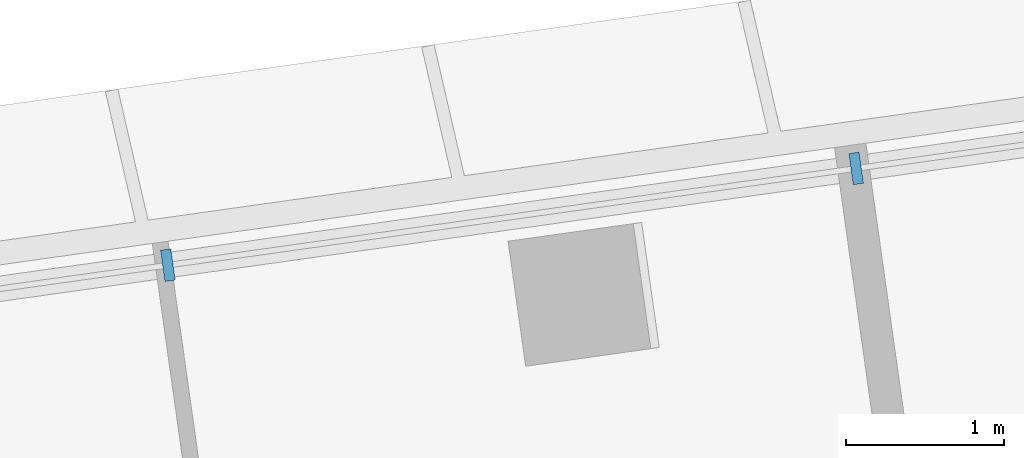
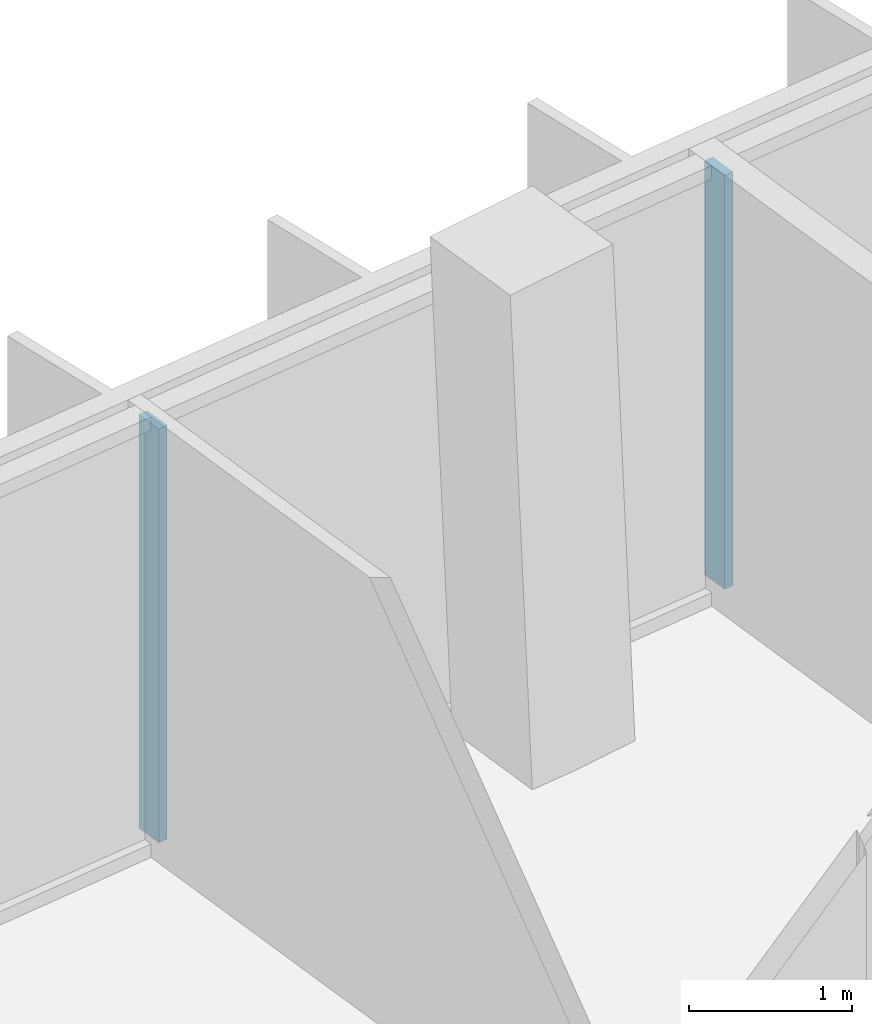
# One storey, part 12 of 29: 2 members, 1 element without a shape of its own.
"""IFC4 building model written with IfcOpenShell, lengths in metres."""

from ifc_helpers import new_model, si_unit, direction, frame, origin, origin_2d, place, context, subcontext, project, spatial, rectangle, extrude, material, material_profile, profile_set, type_object, element, aggregate, save


model = new_model("IFC4")

# Units and contexts
model_context = context("Model", 3, precision=1e-05, world=origin(), true_north=direction((0.0, 1.0)))
body_context = subcontext(model_context, "Body", "Model", "MODEL_VIEW")
ifc_project = project(units=[si_unit("LENGTHUNIT", "METRE"), si_unit("AREAUNIT", "SQUARE_METRE"), si_unit("VOLUMEUNIT", "CUBIC_METRE"), si_unit("PLANEANGLEUNIT", "RADIAN"), si_unit("MASSUNIT", "GRAM", prefix="KILO")], contexts=[model_context])

# Site, building, storey
site_placement = place(None, origin())
site = spatial("IfcSite", under=ifc_project, at=site_placement, CompositionType="ELEMENT")
building_placement = place(site_placement, origin())
building = spatial("IfcBuilding", under=site, at=building_placement, Name="Mirante Cascada Hotel Towers", CompositionType="ELEMENT")
storey_placement = place(building_placement, frame((0.0, 0.0, 206.8)))
storey = spatial("IfcBuildingStorey", under=building, at=storey_placement, Name="L49", CompositionType="ELEMENT", Elevation=206.8)

# Curtain wall, members
ifc_material_1 = material(Name="Aluminium mullion and transom frame with clear laminated glass", Category="aluminium")
curtain_wall_type = type_object("IfcCurtainWallType", Name="Ribbon curtain wall ECW1", PredefinedType="NOTDEFINED", material=ifc_material_1)
curtain_wall_placement = place(storey_placement, origin())
curtain_wall = element("IfcCurtainWall", 1, at=curtain_wall_placement, inside=storey, type_object=curtain_wall_type, Name="Front ribbon wall T2 L49", PredefinedType="NOTDEFINED")
ifc_material_2 = material(Name="Anodised aluminium extrusion", Category="aluminium")
ifc_material_profile = material_profile(ifc_material_2, rectangle(XDim=0.2, YDim=0.065, at=origin_2d()), Name="ECW1 MULLION 65x200")
ifc_profile_set = profile_set([ifc_material_profile], Name="Anodised aluminium extrusion")
member_type = type_object("IfcMemberType", Name="ECW1 mullion 65x200", PredefinedType="MULLION", material=ifc_profile_set)
member_1_placement = place(storey_placement, frame((45.7938, 19.2549, 0.1), z_axis=(0.0, 0.0, 1.0), x_axis=(0.1391731, -0.9902681, 0.0)))
member_1 = element("IfcMember", 2, at=member_1_placement, type_object=member_type, Name="ECW1 mullion 8", PredefinedType="MULLION", context=body_context, shape_type="SweptSolid", body=[
    extrude(rectangle(XDim=0.2, YDim=0.065, at=origin_2d()), origin(), (0.0, 0.0, 1.0), 3.1),
])
member_2_placement = place(storey_placement, frame((41.431, 18.6418, 0.1), z_axis=(0.0, 0.0, 1.0), x_axis=(0.1391731, -0.9902681, 0.0)))
member_2 = element("IfcMember", 3, at=member_2_placement, type_object=member_type, Name="ECW1 mullion 9", PredefinedType="MULLION", context=body_context, shape_type="SweptSolid", body=[
    extrude(rectangle(XDim=0.2, YDim=0.065, at=origin_2d()), origin(), (0.0, 0.0, 1.0), 3.1),
])
aggregate(curtain_wall, [member_1, member_2])

save(model, "model.ifc")
